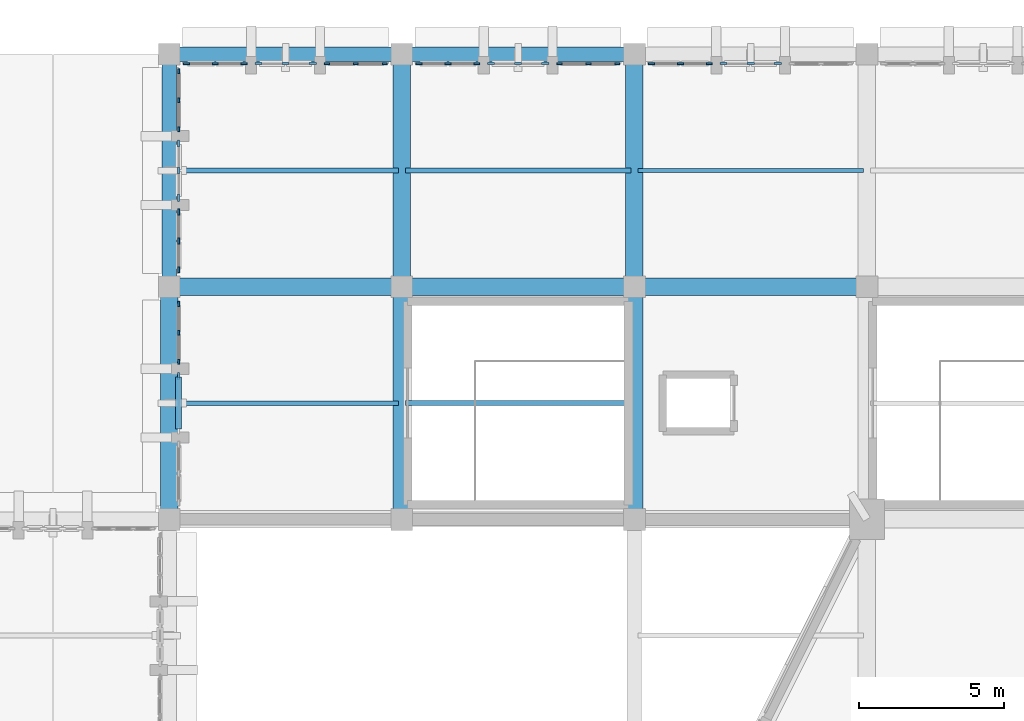
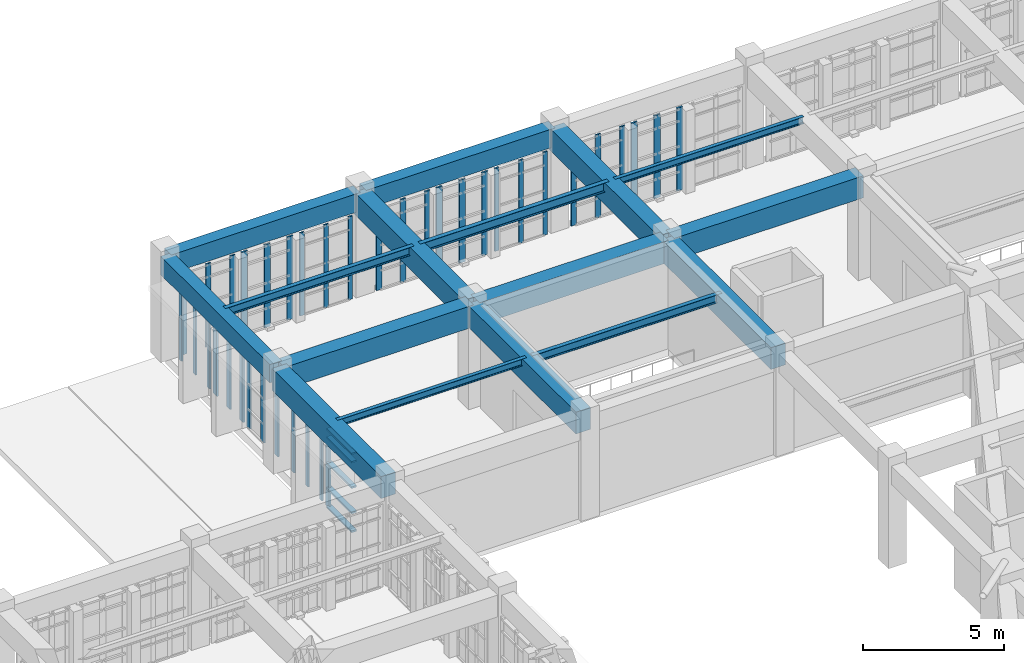
# One storey, part 28 of 155: 42 members, 16 beams, 13 elements without a shape of their own.
"""IFC4 building model written with IfcOpenShell, lengths in metres."""

from ifc_helpers import new_model, si_unit, direction, frame, origin, origin_2d, place, context, subcontext, project, spatial, rectangle, i_section, extrude, material, layer, layer_set, material_profile, profile_set, type_object, element, aggregate, save


model = new_model("IFC4")

# Units and contexts
model_context = context("Model", 3, precision=1e-05, world=origin(), true_north=direction((0.0, 1.0)))
body_context = subcontext(model_context, "Body", "Model", "MODEL_VIEW")
ifc_project = project(units=[si_unit("LENGTHUNIT", "METRE"), si_unit("AREAUNIT", "SQUARE_METRE"), si_unit("VOLUMEUNIT", "CUBIC_METRE"), si_unit("PLANEANGLEUNIT", "RADIAN"), si_unit("MASSUNIT", "GRAM", prefix="KILO")], contexts=[model_context])

# Site, building, storey
site_placement = place(None, origin())
site = spatial("IfcSite", under=ifc_project, at=site_placement, CompositionType="ELEMENT")
building_placement = place(site_placement, origin())
building = spatial("IfcBuilding", under=site, at=building_placement, Name="Tazarka Park Arena", CompositionType="ELEMENT")
storey_placement = place(building_placement, frame((0.0, 0.0, 5.39990234375)))
storey = spatial("IfcBuildingStorey", under=building, at=storey_placement, Name="L01", CompositionType="ELEMENT", Elevation=5.39990234375)

# Beams
ifc_material_1 = material(Name="Concrete C40/50", Category="concrete")
ifc_material_profile_1 = material_profile(ifc_material_1, rectangle(XDim=0.60009765625, YDim=0.949951171875, at=origin_2d()), Name="Concrete C40/50")
ifc_profile_set_1 = profile_set([ifc_material_profile_1], Name="Concrete C40/50")
beam_type_1 = type_object("IfcBeamType", Name="BM-B-03", PredefinedType="BEAM", material=ifc_profile_set_1)
for number, where, z_axis, x_axis, name in (
    (1, (40.0, 112.1201171875, 3.945068359375), (0.0, 1.0, 0.0), (-1.0, 0.0, 0.0), "GYM-L01-05-14"),
    (2, (40.1201171875, 120.0, 3.945068359375), (1.0, 0.0, 0.0), (0.0, 1.0, 0.0), "GXM-L01-05-15"),
    (3, (48.0, 112.1201171875, 3.945068359375), (0.0, 1.0, 0.0), (-1.0, 0.0, 0.0), "GYM-L01-06-14"),
    (4, (48.1201171875, 120.0, 3.945068359375), (1.0, 0.0, 0.0), (0.0, 1.0, 0.0), "GXM-L01-06-15"),
    (5, (48.0, 120.1201171875, 3.945068359375), (0.0, 1.0, 0.0), (-1.0, 0.0, 0.0), "GYM-L01-06-15"),
    (6, (56.0, 112.1201171875, 3.945068359375), (0.0, 1.0, 0.0), (-1.0, 0.0, 0.0), "GYM-L01-07-14"),
    (7, (56.1201171875, 120.0, 3.945068359375), (1.0, 0.0, 0.0), (0.0, 1.0, 0.0), "GXM-L01-07-15"),
    (8, (56.0, 120.1201171875, 3.945068359375), (0.0, 1.0, 0.0), (-1.0, 0.0, 0.0), "GYM-L01-07-15"),
):
    element("IfcBeam", number, at=place(storey_placement, frame(where, z_axis=z_axis, x_axis=x_axis)), inside=storey, type_object=beam_type_1, Name=name, PredefinedType="BEAM", context=body_context, shape_type="SweptSolid", body=[
        extrude(rectangle(XDim=0.60009765625, YDim=0.949951171875, at=origin_2d()), origin(), (0.0, 0.0, 1.0), 7.759765625),
    ])
ifc_material_2 = material(Name="Steel S355", Category="steel")
ifc_material_profile_2 = material_profile(ifc_material_2, i_section(OverallWidth=0.14990234375, OverallDepth=0.300048828125, WebThickness=0.007080078125, FlangeThickness=0.0107421875, FilletRadius=0.014892578125, at=origin_2d()), Name="Steel S355")
ifc_profile_set_2 = profile_set([ifc_material_profile_2], Name="Steel S355")
beam_type_2 = type_object("IfcBeamType", Name="BM-J-01", PredefinedType="JOIST", material=ifc_profile_set_2)
for number, where, z_axis, x_axis, name in (
    (9, (40.1201171875, 116.0, 4.27001953125), (1.0, 0.0, 0.0), (0.0, 1.0, 0.0), "JST-L01-05-14"),
    (10, (56.1201171875, 124.0, 4.27001953125), (1.0, 0.0, 0.0), (0.0, 1.0, 0.0), "JST-L01-07-15"),
):
    element("IfcBeam", number, at=place(storey_placement, frame(where, z_axis=z_axis, x_axis=x_axis)), inside=storey, type_object=beam_type_2, Name=name, PredefinedType="JOIST", context=body_context, shape_type="SweptSolid", body=[
        extrude(i_section(OverallWidth=0.14990234375, OverallDepth=0.300048828125, WebThickness=0.007080078125, FlangeThickness=0.0107421875, FilletRadius=0.014892578125, at=origin_2d()), origin(), (0.0, 0.0, 1.0), 7.759765625),
    ])
ifc_material_3 = material(Name="Steel S355", Category="steel")
ifc_material_profile_3 = material_profile(ifc_material_3, i_section(OverallWidth=0.169921875, OverallDepth=0.360107421875, WebThickness=0.008056640625, FlangeThickness=0.0126953125, FilletRadius=0.01806640625, at=origin_2d()), Name="Steel S355")
ifc_profile_set_3 = profile_set([ifc_material_profile_3], Name="Steel S355")
beam_type_3 = type_object("IfcBeamType", Name="BM-J-02", PredefinedType="JOIST", material=ifc_profile_set_3)
for number, where, z_axis, x_axis, name in (
    (11, (40.1201171875, 124.0, 4.239990234375), (1.0, 0.0, 0.0), (0.0, 1.0, 0.0), "JST-L01-05-15"),
    (12, (48.1201171875, 116.0, 4.239990234375), (1.0, 0.0, 0.0), (0.0, 1.0, 0.0), "JST-L01-06-14"),
):
    element("IfcBeam", number, at=place(storey_placement, frame(where, z_axis=z_axis, x_axis=x_axis)), inside=storey, type_object=beam_type_3, Name=name, PredefinedType="JOIST", context=body_context, shape_type="SweptSolid", body=[
        extrude(i_section(OverallWidth=0.169921875, OverallDepth=0.360107421875, WebThickness=0.008056640625, FlangeThickness=0.0126953125, FilletRadius=0.01806640625, at=origin_2d()), origin(), (0.0, 0.0, 1.0), 7.759765625),
    ])
ifc_material_4 = material(Name="Steel S355", Category="steel")
ifc_material_profile_4 = material_profile(ifc_material_4, i_section(OverallWidth=0.179931640625, OverallDepth=0.39990234375, WebThickness=0.008544921875, FlangeThickness=0.013427734375, FilletRadius=0.02099609375, at=origin_2d()), Name="Steel S355")
ifc_profile_set_4 = profile_set([ifc_material_profile_4], Name="Steel S355")
beam_type_4 = type_object("IfcBeamType", Name="BM-J-03", PredefinedType="JOIST", material=ifc_profile_set_4)
beam_placement = place(storey_placement, frame((48.1201171875, 124.0, 4.22021484375), z_axis=(1.0, 0.0, 0.0), x_axis=(0.0, 1.0, 0.0)))
element("IfcBeam", 13, at=beam_placement, inside=storey, type_object=beam_type_4, Name="JST-L01-06-15", PredefinedType="JOIST", context=body_context, shape_type="SweptSolid", body=[
    extrude(i_section(OverallWidth=0.179931640625, OverallDepth=0.39990234375, WebThickness=0.008544921875, FlangeThickness=0.013427734375, FilletRadius=0.02099609375, at=origin_2d()), origin(), (0.0, 0.0, 1.0), 7.759765625),
])
ifc_material_5 = material(Name="Concrete C40/50", Category="concrete")
ifc_material_profile_5 = material_profile(ifc_material_5, rectangle(XDim=0.5, YDim=0.800048828125, at=origin_2d()), Name="Concrete C40/50")
ifc_profile_set_5 = profile_set([ifc_material_profile_5], Name="Concrete C40/50")
beam_type_5 = type_object("IfcBeamType", Name="BM-SP-01", PredefinedType="SPANDREL", material=ifc_profile_set_5)
for number, where, z_axis, x_axis, name in (
    (14, (40.0, 120.1201171875, 4.02001953125), (0.0, 1.0, 0.0), (-1.0, 0.0, 0.0), "GYM-L01-05-15"),
    (15, (40.1201171875, 128.0, 4.02001953125), (1.0, 0.0, 0.0), (0.0, 1.0, 0.0), "GXM-L01-05-16"),
    (16, (48.1201171875, 128.0, 4.02001953125), (1.0, 0.0, 0.0), (0.0, 1.0, 0.0), "GXM-L01-06-16"),
):
    element("IfcBeam", number, at=place(storey_placement, frame(where, z_axis=z_axis, x_axis=x_axis)), inside=storey, type_object=beam_type_5, Name=name, PredefinedType="SPANDREL", context=body_context, shape_type="SweptSolid", body=[
        extrude(rectangle(XDim=0.5, YDim=0.800048828125, at=origin_2d()), origin(), (0.0, 0.0, 1.0), 7.759765625),
    ])

# Curtain wall, members
ifc_material_6 = material(Name="Aluminium and low-e glass", Category="aluminium")
ifc_layer_1 = layer(ifc_material_6, 0.179931640625, Name="Aluminium and low-e glass")
ifc_layer_set_1 = layer_set([ifc_layer_1], Name="Aluminium and low-e glass")
curtain_wall_type_1 = type_object("IfcCurtainWallType", Name="CW-21", PredefinedType="NOTDEFINED", material=ifc_layer_set_1)
curtain_wall_1_placement = place(storey_placement, origin())
curtain_wall_1 = element("IfcCurtainWall", 17, at=curtain_wall_1_placement, inside=storey, type_object=curtain_wall_type_1, Name="Curtain Wall CWA-L01-051", PredefinedType="NOTDEFINED")
ifc_material_7 = material(Name="Aluminium 6060-T66", Category="aluminium")
ifc_material_profile_6 = material_profile(ifc_material_7, rectangle(XDim=0.06494140625, YDim=0.179931640625, at=origin_2d()), Name="Aluminium 6060-T66")
ifc_profile_set_6 = profile_set([ifc_material_profile_6], Name="Aluminium 6060-T66")
member_type_1 = type_object("IfcMemberType", Name="CWM-01", PredefinedType="MULLION", material=ifc_profile_set_6)
member_1_placement = place(storey_placement, frame((53.42431640625, 127.679931640625, 0.0), z_axis=(0.0, 0.0, 1.0), x_axis=(0.0, 1.0, 0.0)))
member_1 = element("IfcMember", 18, at=member_1_placement, type_object=member_type_1, Name="CW-21 mullion 1", PredefinedType="MULLION", context=body_context, shape_type="SweptSolid", body=[
    extrude(rectangle(XDim=0.06494140625, YDim=0.179931640625, at=origin_2d()), origin(), (0.0, 0.0, 1.0), 3.60009765625),
])
member_2_placement = place(storey_placement, frame((54.41845703125, 127.679931640625, 0.0), z_axis=(0.0, 0.0, 1.0), x_axis=(0.0, 1.0, 0.0)))
member_2 = element("IfcMember", 19, at=member_2_placement, type_object=member_type_1, Name="CW-21 mullion 2", PredefinedType="MULLION", context=body_context, shape_type="SweptSolid", body=[
    extrude(rectangle(XDim=0.06494140625, YDim=0.179931640625, at=origin_2d()), origin(), (0.0, 0.0, 1.0), 3.60009765625),
])
member_3_placement = place(storey_placement, frame((55.41259765625, 127.679931640625, 0.0), z_axis=(0.0, 0.0, 1.0), x_axis=(0.0, 1.0, 0.0)))
member_3 = element("IfcMember", 20, at=member_3_placement, type_object=member_type_1, Name="CW-21 mullion 3", PredefinedType="MULLION", context=body_context, shape_type="SweptSolid", body=[
    extrude(rectangle(XDim=0.06494140625, YDim=0.179931640625, at=origin_2d()), origin(), (0.0, 0.0, 1.0), 3.60009765625),
])
aggregate(curtain_wall_1, [member_1, member_2, member_3])

ifc_material_8 = material(Name="Aluminium and low-e glass", Category="aluminium")
ifc_layer_2 = layer(ifc_material_8, 0.179931640625, Name="Aluminium and low-e glass")
ifc_layer_set_2 = layer_set([ifc_layer_2], Name="Aluminium and low-e glass")
curtain_wall_type_2 = type_object("IfcCurtainWallType", Name="CW-24", PredefinedType="NOTDEFINED", material=ifc_layer_set_2)
curtain_wall_2_placement = place(storey_placement, origin())
curtain_wall_2 = element("IfcCurtainWall", 21, at=curtain_wall_2_placement, inside=storey, type_object=curtain_wall_type_2, Name="Curtain Wall CWA-L01-054", PredefinedType="NOTDEFINED")
member_4_placement = place(storey_placement, frame((45.42431640625, 127.679931640625, 0.0), z_axis=(0.0, 0.0, 1.0), x_axis=(0.0, 1.0, 0.0)))
member_4 = element("IfcMember", 22, at=member_4_placement, type_object=member_type_1, Name="CW-24 mullion 1", PredefinedType="MULLION", context=body_context, shape_type="SweptSolid", body=[
    extrude(rectangle(XDim=0.06494140625, YDim=0.179931640625, at=origin_2d()), origin(), (0.0, 0.0, 1.0), 3.60009765625),
])
member_5_placement = place(storey_placement, frame((46.41845703125, 127.679931640625, 0.0), z_axis=(0.0, 0.0, 1.0), x_axis=(0.0, 1.0, 0.0)))
member_5 = element("IfcMember", 23, at=member_5_placement, type_object=member_type_1, Name="CW-24 mullion 2", PredefinedType="MULLION", context=body_context, shape_type="SweptSolid", body=[
    extrude(rectangle(XDim=0.06494140625, YDim=0.179931640625, at=origin_2d()), origin(), (0.0, 0.0, 1.0), 3.60009765625),
])
member_6_placement = place(storey_placement, frame((47.41259765625, 127.679931640625, 0.0), z_axis=(0.0, 0.0, 1.0), x_axis=(0.0, 1.0, 0.0)))
member_6 = element("IfcMember", 24, at=member_6_placement, type_object=member_type_1, Name="CW-24 mullion 3", PredefinedType="MULLION", context=body_context, shape_type="SweptSolid", body=[
    extrude(rectangle(XDim=0.06494140625, YDim=0.179931640625, at=origin_2d()), origin(), (0.0, 0.0, 1.0), 3.60009765625),
])
aggregate(curtain_wall_2, [member_4, member_5, member_6])

ifc_material_9 = material(Name="Aluminium and low-e glass", Category="aluminium")
ifc_layer_3 = layer(ifc_material_9, 0.179931640625, Name="Aluminium and low-e glass")
ifc_layer_set_3 = layer_set([ifc_layer_3], Name="Aluminium and low-e glass")
curtain_wall_type_3 = type_object("IfcCurtainWallType", Name="CW-27", PredefinedType="NOTDEFINED", material=ifc_layer_set_3)
curtain_wall_3_placement = place(storey_placement, origin())
curtain_wall_3 = element("IfcCurtainWall", 25, at=curtain_wall_3_placement, inside=storey, type_object=curtain_wall_type_3, Name="Curtain Wall CWA-L01-057", PredefinedType="NOTDEFINED")
member_7_placement = place(storey_placement, frame((40.320068359375, 125.42431640625, 0.0), z_axis=(0.0, 0.0, 1.0), x_axis=(-1.0, 0.0, 0.0)))
member_7 = element("IfcMember", 26, at=member_7_placement, type_object=member_type_1, Name="CW-27 mullion 1", PredefinedType="MULLION", context=body_context, shape_type="SweptSolid", body=[
    extrude(rectangle(XDim=0.06494140625, YDim=0.179931640625, at=origin_2d()), origin(), (0.0, 0.0, 1.0), 3.60009765625),
])
member_8_placement = place(storey_placement, frame((40.320068359375, 126.41845703125, 0.0), z_axis=(0.0, 0.0, 1.0), x_axis=(-1.0, 0.0, 0.0)))
member_8 = element("IfcMember", 27, at=member_8_placement, type_object=member_type_1, Name="CW-27 mullion 2", PredefinedType="MULLION", context=body_context, shape_type="SweptSolid", body=[
    extrude(rectangle(XDim=0.06494140625, YDim=0.179931640625, at=origin_2d()), origin(), (0.0, 0.0, 1.0), 3.60009765625),
])
member_9_placement = place(storey_placement, frame((40.320068359375, 127.41259765625, 0.0), z_axis=(0.0, 0.0, 1.0), x_axis=(-1.0, 0.0, 0.0)))
member_9 = element("IfcMember", 28, at=member_9_placement, type_object=member_type_1, Name="CW-27 mullion 3", PredefinedType="MULLION", context=body_context, shape_type="SweptSolid", body=[
    extrude(rectangle(XDim=0.06494140625, YDim=0.179931640625, at=origin_2d()), origin(), (0.0, 0.0, 1.0), 3.60009765625),
])
aggregate(curtain_wall_3, [member_7, member_8, member_9])

ifc_material_10 = material(Name="Aluminium and low-e glass", Category="aluminium")
ifc_layer_4 = layer(ifc_material_10, 0.179931640625, Name="Aluminium and low-e glass")
ifc_layer_set_4 = layer_set([ifc_layer_4], Name="Aluminium and low-e glass")
curtain_wall_type_4 = type_object("IfcCurtainWallType", Name="CW-30", PredefinedType="NOTDEFINED", material=ifc_layer_set_4)
curtain_wall_4_placement = place(storey_placement, origin())
curtain_wall_4 = element("IfcCurtainWall", 29, at=curtain_wall_4_placement, inside=storey, type_object=curtain_wall_type_4, Name="Curtain Wall CWA-L01-060", PredefinedType="NOTDEFINED")
member_10_placement = place(storey_placement, frame((40.320068359375, 117.42431640625, 0.0), z_axis=(0.0, 0.0, 1.0), x_axis=(-1.0, 0.0, 0.0)))
member_10 = element("IfcMember", 30, at=member_10_placement, type_object=member_type_1, Name="CW-30 mullion 1", PredefinedType="MULLION", context=body_context, shape_type="SweptSolid", body=[
    extrude(rectangle(XDim=0.06494140625, YDim=0.179931640625, at=origin_2d()), origin(), (0.0, 0.0, 1.0), 3.4501953125),
])
member_11_placement = place(storey_placement, frame((40.320068359375, 118.41845703125, 0.0), z_axis=(0.0, 0.0, 1.0), x_axis=(-1.0, 0.0, 0.0)))
member_11 = element("IfcMember", 31, at=member_11_placement, type_object=member_type_1, Name="CW-30 mullion 2", PredefinedType="MULLION", context=body_context, shape_type="SweptSolid", body=[
    extrude(rectangle(XDim=0.06494140625, YDim=0.179931640625, at=origin_2d()), origin(), (0.0, 0.0, 1.0), 3.4501953125),
])
member_12_placement = place(storey_placement, frame((40.320068359375, 119.41259765625, 0.0), z_axis=(0.0, 0.0, 1.0), x_axis=(-1.0, 0.0, 0.0)))
member_12 = element("IfcMember", 32, at=member_12_placement, type_object=member_type_1, Name="CW-30 mullion 3", PredefinedType="MULLION", context=body_context, shape_type="SweptSolid", body=[
    extrude(rectangle(XDim=0.06494140625, YDim=0.179931640625, at=origin_2d()), origin(), (0.0, 0.0, 1.0), 3.4501953125),
])
aggregate(curtain_wall_4, [member_10, member_11, member_12])

ifc_material_11 = material(Name="Aluminium and low-e glass", Category="aluminium")
ifc_layer_5 = layer(ifc_material_11, 0.179931640625, Name="Aluminium and low-e glass")
ifc_layer_set_5 = layer_set([ifc_layer_5], Name="Aluminium and low-e glass")
curtain_wall_type_5 = type_object("IfcCurtainWallType", Name="CW-16", PredefinedType="NOTDEFINED", material=ifc_layer_set_5)
curtain_wall_5_placement = place(storey_placement, origin())
curtain_wall_5 = element("IfcCurtainWall", 33, at=curtain_wall_5_placement, inside=storey, type_object=curtain_wall_type_5, Name="Curtain Wall CWA-L01-046", PredefinedType="NOTDEFINED")
ifc_material_12 = material(Name="Aluminium 6060-T66", Category="aluminium")
ifc_material_profile_7 = material_profile(ifc_material_12, rectangle(XDim=0.06494140625, YDim=0.219970703125, at=origin_2d()), Name="Aluminium 6060-T66")
ifc_profile_set_7 = profile_set([ifc_material_profile_7], Name="Aluminium 6060-T66")
member_type_2 = type_object("IfcMemberType", Name="CWM-02", PredefinedType="MULLION", material=ifc_profile_set_7)
member_13_placement = place(storey_placement, frame((56.58740234375, 127.679931640625, 0.0), z_axis=(0.0, 0.0, 1.0), x_axis=(0.0, 1.0, 0.0)))
member_13 = element("IfcMember", 34, at=member_13_placement, type_object=member_type_2, Name="CW-16 mullion 1", PredefinedType="MULLION", context=body_context, shape_type="SweptSolid", body=[
    extrude(rectangle(XDim=0.06494140625, YDim=0.219970703125, at=origin_2d()), origin(), (0.0, 0.0, 1.0), 3.60009765625),
])
member_14_placement = place(storey_placement, frame((57.58154296875, 127.679931640625, 0.0), z_axis=(0.0, 0.0, 1.0), x_axis=(0.0, 1.0, 0.0)))
member_14 = element("IfcMember", 35, at=member_14_placement, type_object=member_type_2, Name="CW-16 mullion 2", PredefinedType="MULLION", context=body_context, shape_type="SweptSolid", body=[
    extrude(rectangle(XDim=0.06494140625, YDim=0.219970703125, at=origin_2d()), origin(), (0.0, 0.0, 1.0), 3.60009765625),
])
member_15_placement = place(storey_placement, frame((58.57568359375, 127.679931640625, 0.0), z_axis=(0.0, 0.0, 1.0), x_axis=(0.0, 1.0, 0.0)))
member_15 = element("IfcMember", 36, at=member_15_placement, type_object=member_type_2, Name="CW-16 mullion 3", PredefinedType="MULLION", context=body_context, shape_type="SweptSolid", body=[
    extrude(rectangle(XDim=0.06494140625, YDim=0.219970703125, at=origin_2d()), origin(), (0.0, 0.0, 1.0), 3.60009765625),
])
aggregate(curtain_wall_5, [member_13, member_14, member_15])

ifc_material_13 = material(Name="Aluminium and low-e glass", Category="aluminium")
ifc_layer_6 = layer(ifc_material_13, 0.179931640625, Name="Aluminium and low-e glass")
ifc_layer_set_6 = layer_set([ifc_layer_6], Name="Aluminium and low-e glass")
curtain_wall_type_6 = type_object("IfcCurtainWallType", Name="CW-19", PredefinedType="NOTDEFINED", material=ifc_layer_set_6)
curtain_wall_6_placement = place(storey_placement, origin())
curtain_wall_6 = element("IfcCurtainWall", 37, at=curtain_wall_6_placement, inside=storey, type_object=curtain_wall_type_6, Name="Curtain Wall CWA-L01-049", PredefinedType="NOTDEFINED")
member_16_placement = place(storey_placement, frame((48.58740234375, 127.679931640625, 0.0), z_axis=(0.0, 0.0, 1.0), x_axis=(0.0, 1.0, 0.0)))
member_16 = element("IfcMember", 38, at=member_16_placement, type_object=member_type_2, Name="CW-19 mullion 1", PredefinedType="MULLION", context=body_context, shape_type="SweptSolid", body=[
    extrude(rectangle(XDim=0.06494140625, YDim=0.219970703125, at=origin_2d()), origin(), (0.0, 0.0, 1.0), 3.60009765625),
])
member_17_placement = place(storey_placement, frame((49.58154296875, 127.679931640625, 0.0), z_axis=(0.0, 0.0, 1.0), x_axis=(0.0, 1.0, 0.0)))
member_17 = element("IfcMember", 39, at=member_17_placement, type_object=member_type_2, Name="CW-19 mullion 2", PredefinedType="MULLION", context=body_context, shape_type="SweptSolid", body=[
    extrude(rectangle(XDim=0.06494140625, YDim=0.219970703125, at=origin_2d()), origin(), (0.0, 0.0, 1.0), 3.60009765625),
])
member_18_placement = place(storey_placement, frame((50.57568359375, 127.679931640625, 0.0), z_axis=(0.0, 0.0, 1.0), x_axis=(0.0, 1.0, 0.0)))
member_18 = element("IfcMember", 40, at=member_18_placement, type_object=member_type_2, Name="CW-19 mullion 3", PredefinedType="MULLION", context=body_context, shape_type="SweptSolid", body=[
    extrude(rectangle(XDim=0.06494140625, YDim=0.219970703125, at=origin_2d()), origin(), (0.0, 0.0, 1.0), 3.60009765625),
])
aggregate(curtain_wall_6, [member_16, member_17, member_18])

ifc_material_14 = material(Name="Aluminium and low-e glass", Category="aluminium")
ifc_layer_7 = layer(ifc_material_14, 0.179931640625, Name="Aluminium and low-e glass")
ifc_layer_set_7 = layer_set([ifc_layer_7], Name="Aluminium and low-e glass")
curtain_wall_type_7 = type_object("IfcCurtainWallType", Name="CW-22", PredefinedType="NOTDEFINED", material=ifc_layer_set_7)
curtain_wall_7_placement = place(storey_placement, origin())
curtain_wall_7 = element("IfcCurtainWall", 41, at=curtain_wall_7_placement, inside=storey, type_object=curtain_wall_type_7, Name="Curtain Wall CWA-L01-052", PredefinedType="NOTDEFINED")
member_19_placement = place(storey_placement, frame((40.58740234375, 127.679931640625, 0.0), z_axis=(0.0, 0.0, 1.0), x_axis=(0.0, 1.0, 0.0)))
member_19 = element("IfcMember", 42, at=member_19_placement, type_object=member_type_2, Name="CW-22 mullion 1", PredefinedType="MULLION", context=body_context, shape_type="SweptSolid", body=[
    extrude(rectangle(XDim=0.06494140625, YDim=0.219970703125, at=origin_2d()), origin(), (0.0, 0.0, 1.0), 3.60009765625),
])
member_20_placement = place(storey_placement, frame((41.58154296875, 127.679931640625, 0.0), z_axis=(0.0, 0.0, 1.0), x_axis=(0.0, 1.0, 0.0)))
member_20 = element("IfcMember", 43, at=member_20_placement, type_object=member_type_2, Name="CW-22 mullion 2", PredefinedType="MULLION", context=body_context, shape_type="SweptSolid", body=[
    extrude(rectangle(XDim=0.06494140625, YDim=0.219970703125, at=origin_2d()), origin(), (0.0, 0.0, 1.0), 3.60009765625),
])
member_21_placement = place(storey_placement, frame((42.57568359375, 127.679931640625, 0.0), z_axis=(0.0, 0.0, 1.0), x_axis=(0.0, 1.0, 0.0)))
member_21 = element("IfcMember", 44, at=member_21_placement, type_object=member_type_2, Name="CW-22 mullion 3", PredefinedType="MULLION", context=body_context, shape_type="SweptSolid", body=[
    extrude(rectangle(XDim=0.06494140625, YDim=0.219970703125, at=origin_2d()), origin(), (0.0, 0.0, 1.0), 3.60009765625),
])
aggregate(curtain_wall_7, [member_19, member_20, member_21])

ifc_material_15 = material(Name="Aluminium and low-e glass", Category="aluminium")
ifc_layer_8 = layer(ifc_material_15, 0.179931640625, Name="Aluminium and low-e glass")
ifc_layer_set_8 = layer_set([ifc_layer_8], Name="Aluminium and low-e glass")
curtain_wall_type_8 = type_object("IfcCurtainWallType", Name="CW-25", PredefinedType="NOTDEFINED", material=ifc_layer_set_8)
curtain_wall_8_placement = place(storey_placement, origin())
curtain_wall_8 = element("IfcCurtainWall", 45, at=curtain_wall_8_placement, inside=storey, type_object=curtain_wall_type_8, Name="Curtain Wall CWA-L01-055", PredefinedType="NOTDEFINED")
member_22_placement = place(storey_placement, frame((40.320068359375, 120.58740234375, 0.0), z_axis=(0.0, 0.0, 1.0), x_axis=(-1.0, 0.0, 0.0)))
member_22 = element("IfcMember", 46, at=member_22_placement, type_object=member_type_2, Name="CW-25 mullion 1", PredefinedType="MULLION", context=body_context, shape_type="SweptSolid", body=[
    extrude(rectangle(XDim=0.06494140625, YDim=0.219970703125, at=origin_2d()), origin(), (0.0, 0.0, 1.0), 3.60009765625),
])
member_23_placement = place(storey_placement, frame((40.320068359375, 121.58154296875, 0.0), z_axis=(0.0, 0.0, 1.0), x_axis=(-1.0, 0.0, 0.0)))
member_23 = element("IfcMember", 47, at=member_23_placement, type_object=member_type_2, Name="CW-25 mullion 2", PredefinedType="MULLION", context=body_context, shape_type="SweptSolid", body=[
    extrude(rectangle(XDim=0.06494140625, YDim=0.219970703125, at=origin_2d()), origin(), (0.0, 0.0, 1.0), 3.60009765625),
])
member_24_placement = place(storey_placement, frame((40.320068359375, 122.57568359375, 0.0), z_axis=(0.0, 0.0, 1.0), x_axis=(-1.0, 0.0, 0.0)))
member_24 = element("IfcMember", 48, at=member_24_placement, type_object=member_type_2, Name="CW-25 mullion 3", PredefinedType="MULLION", context=body_context, shape_type="SweptSolid", body=[
    extrude(rectangle(XDim=0.06494140625, YDim=0.219970703125, at=origin_2d()), origin(), (0.0, 0.0, 1.0), 3.60009765625),
])
aggregate(curtain_wall_8, [member_22, member_23, member_24])

ifc_material_16 = material(Name="Aluminium and low-e glass", Category="aluminium")
ifc_layer_9 = layer(ifc_material_16, 0.179931640625, Name="Aluminium and low-e glass")
ifc_layer_set_9 = layer_set([ifc_layer_9], Name="Aluminium and low-e glass")
curtain_wall_type_9 = type_object("IfcCurtainWallType", Name="CW-17", PredefinedType="NOTDEFINED", material=ifc_layer_set_9)
curtain_wall_9_placement = place(storey_placement, origin())
curtain_wall_9 = element("IfcCurtainWall", 49, at=curtain_wall_9_placement, inside=storey, type_object=curtain_wall_type_9, Name="Curtain Wall CWA-L01-047", PredefinedType="NOTDEFINED")
ifc_material_17 = material(Name="Aluminium 6060-T66", Category="aluminium")
ifc_material_profile_8 = material_profile(ifc_material_17, rectangle(XDim=0.074951171875, YDim=0.25, at=origin_2d()), Name="Aluminium 6060-T66")
ifc_profile_set_8 = profile_set([ifc_material_profile_8], Name="Aluminium 6060-T66")
member_type_3 = type_object("IfcMemberType", Name="CWM-03", PredefinedType="MULLION", material=ifc_profile_set_8)
member_25_placement = place(storey_placement, frame((59.06591796875, 127.679931640625, 0.0), z_axis=(0.0, 0.0, 1.0), x_axis=(0.0, 1.0, 0.0)))
member_25 = element("IfcMember", 50, at=member_25_placement, type_object=member_type_3, Name="CW-17 mullion 1", PredefinedType="MULLION", context=body_context, shape_type="SweptSolid", body=[
    extrude(rectangle(XDim=0.074951171875, YDim=0.25, at=origin_2d()), origin(), (0.0, 0.0, 1.0), 3.60009765625),
])
member_26_placement = place(storey_placement, frame((60.0, 127.679931640625, 0.0), z_axis=(0.0, 0.0, 1.0), x_axis=(0.0, 1.0, 0.0)))
member_26 = element("IfcMember", 51, at=member_26_placement, type_object=member_type_3, Name="CW-17 mullion 2", PredefinedType="MULLION", context=body_context, shape_type="SweptSolid", body=[
    extrude(rectangle(XDim=0.074951171875, YDim=0.25, at=origin_2d()), origin(), (0.0, 0.0, 1.0), 3.60009765625),
])
member_27_placement = place(storey_placement, frame((60.93408203125, 127.679931640625, 0.0), z_axis=(0.0, 0.0, 1.0), x_axis=(0.0, 1.0, 0.0)))
member_27 = element("IfcMember", 52, at=member_27_placement, type_object=member_type_3, Name="CW-17 mullion 3", PredefinedType="MULLION", context=body_context, shape_type="SweptSolid", body=[
    extrude(rectangle(XDim=0.074951171875, YDim=0.25, at=origin_2d()), origin(), (0.0, 0.0, 1.0), 3.60009765625),
])
aggregate(curtain_wall_9, [member_25, member_26, member_27])

ifc_material_18 = material(Name="Aluminium and low-e glass", Category="aluminium")
ifc_layer_10 = layer(ifc_material_18, 0.179931640625, Name="Aluminium and low-e glass")
ifc_layer_set_10 = layer_set([ifc_layer_10], Name="Aluminium and low-e glass")
curtain_wall_type_10 = type_object("IfcCurtainWallType", Name="CW-20", PredefinedType="NOTDEFINED", material=ifc_layer_set_10)
curtain_wall_10_placement = place(storey_placement, origin())
curtain_wall_10 = element("IfcCurtainWall", 53, at=curtain_wall_10_placement, inside=storey, type_object=curtain_wall_type_10, Name="Curtain Wall CWA-L01-050", PredefinedType="NOTDEFINED")
member_28_placement = place(storey_placement, frame((51.06591796875, 127.679931640625, 0.0), z_axis=(0.0, 0.0, 1.0), x_axis=(0.0, 1.0, 0.0)))
member_28 = element("IfcMember", 54, at=member_28_placement, type_object=member_type_3, Name="CW-20 mullion 1", PredefinedType="MULLION", context=body_context, shape_type="SweptSolid", body=[
    extrude(rectangle(XDim=0.074951171875, YDim=0.25, at=origin_2d()), origin(), (0.0, 0.0, 1.0), 3.60009765625),
])
member_29_placement = place(storey_placement, frame((52.0, 127.679931640625, 0.0), z_axis=(0.0, 0.0, 1.0), x_axis=(0.0, 1.0, 0.0)))
member_29 = element("IfcMember", 55, at=member_29_placement, type_object=member_type_3, Name="CW-20 mullion 2", PredefinedType="MULLION", context=body_context, shape_type="SweptSolid", body=[
    extrude(rectangle(XDim=0.074951171875, YDim=0.25, at=origin_2d()), origin(), (0.0, 0.0, 1.0), 3.60009765625),
])
member_30_placement = place(storey_placement, frame((52.93408203125, 127.679931640625, 0.0), z_axis=(0.0, 0.0, 1.0), x_axis=(0.0, 1.0, 0.0)))
member_30 = element("IfcMember", 56, at=member_30_placement, type_object=member_type_3, Name="CW-20 mullion 3", PredefinedType="MULLION", context=body_context, shape_type="SweptSolid", body=[
    extrude(rectangle(XDim=0.074951171875, YDim=0.25, at=origin_2d()), origin(), (0.0, 0.0, 1.0), 3.60009765625),
])
aggregate(curtain_wall_10, [member_28, member_29, member_30])

ifc_material_19 = material(Name="Aluminium and low-e glass", Category="aluminium")
ifc_layer_11 = layer(ifc_material_19, 0.179931640625, Name="Aluminium and low-e glass")
ifc_layer_set_11 = layer_set([ifc_layer_11], Name="Aluminium and low-e glass")
curtain_wall_type_11 = type_object("IfcCurtainWallType", Name="CW-23", PredefinedType="NOTDEFINED", material=ifc_layer_set_11)
curtain_wall_11_placement = place(storey_placement, origin())
curtain_wall_11 = element("IfcCurtainWall", 57, at=curtain_wall_11_placement, inside=storey, type_object=curtain_wall_type_11, Name="Curtain Wall CWA-L01-053", PredefinedType="NOTDEFINED")
member_31_placement = place(storey_placement, frame((43.06591796875, 127.679931640625, 0.0), z_axis=(0.0, 0.0, 1.0), x_axis=(0.0, 1.0, 0.0)))
member_31 = element("IfcMember", 58, at=member_31_placement, type_object=member_type_3, Name="CW-23 mullion 1", PredefinedType="MULLION", context=body_context, shape_type="SweptSolid", body=[
    extrude(rectangle(XDim=0.074951171875, YDim=0.25, at=origin_2d()), origin(), (0.0, 0.0, 1.0), 3.60009765625),
])
member_32_placement = place(storey_placement, frame((44.0, 127.679931640625, 0.0), z_axis=(0.0, 0.0, 1.0), x_axis=(0.0, 1.0, 0.0)))
member_32 = element("IfcMember", 59, at=member_32_placement, type_object=member_type_3, Name="CW-23 mullion 2", PredefinedType="MULLION", context=body_context, shape_type="SweptSolid", body=[
    extrude(rectangle(XDim=0.074951171875, YDim=0.25, at=origin_2d()), origin(), (0.0, 0.0, 1.0), 3.60009765625),
])
member_33_placement = place(storey_placement, frame((44.93408203125, 127.679931640625, 0.0), z_axis=(0.0, 0.0, 1.0), x_axis=(0.0, 1.0, 0.0)))
member_33 = element("IfcMember", 60, at=member_33_placement, type_object=member_type_3, Name="CW-23 mullion 3", PredefinedType="MULLION", context=body_context, shape_type="SweptSolid", body=[
    extrude(rectangle(XDim=0.074951171875, YDim=0.25, at=origin_2d()), origin(), (0.0, 0.0, 1.0), 3.60009765625),
])
aggregate(curtain_wall_11, [member_31, member_32, member_33])

ifc_material_20 = material(Name="Aluminium and low-e glass", Category="aluminium")
ifc_layer_12 = layer(ifc_material_20, 0.179931640625, Name="Aluminium and low-e glass")
ifc_layer_set_12 = layer_set([ifc_layer_12], Name="Aluminium and low-e glass")
curtain_wall_type_12 = type_object("IfcCurtainWallType", Name="CW-26", PredefinedType="NOTDEFINED", material=ifc_layer_set_12)
curtain_wall_12_placement = place(storey_placement, origin())
curtain_wall_12 = element("IfcCurtainWall", 61, at=curtain_wall_12_placement, inside=storey, type_object=curtain_wall_type_12, Name="Curtain Wall CWA-L01-056", PredefinedType="NOTDEFINED")
member_34_placement = place(storey_placement, frame((40.320068359375, 123.06591796875, 0.0), z_axis=(0.0, 0.0, 1.0), x_axis=(-1.0, 0.0, 0.0)))
member_34 = element("IfcMember", 62, at=member_34_placement, type_object=member_type_3, Name="CW-26 mullion 1", PredefinedType="MULLION", context=body_context, shape_type="SweptSolid", body=[
    extrude(rectangle(XDim=0.074951171875, YDim=0.25, at=origin_2d()), origin(), (0.0, 0.0, 1.0), 3.60009765625),
])
member_35_placement = place(storey_placement, frame((40.320068359375, 124.0, 0.0), z_axis=(0.0, 0.0, 1.0), x_axis=(-1.0, 0.0, 0.0)))
member_35 = element("IfcMember", 63, at=member_35_placement, type_object=member_type_3, Name="CW-26 mullion 2", PredefinedType="MULLION", context=body_context, shape_type="SweptSolid", body=[
    extrude(rectangle(XDim=0.074951171875, YDim=0.25, at=origin_2d()), origin(), (0.0, 0.0, 1.0), 3.60009765625),
])
member_36_placement = place(storey_placement, frame((40.320068359375, 124.93408203125, 0.0), z_axis=(0.0, 0.0, 1.0), x_axis=(-1.0, 0.0, 0.0)))
member_36 = element("IfcMember", 64, at=member_36_placement, type_object=member_type_3, Name="CW-26 mullion 3", PredefinedType="MULLION", context=body_context, shape_type="SweptSolid", body=[
    extrude(rectangle(XDim=0.074951171875, YDim=0.25, at=origin_2d()), origin(), (0.0, 0.0, 1.0), 3.60009765625),
])
aggregate(curtain_wall_12, [member_34, member_35, member_36])

ifc_material_21 = material(Name="Aluminium and low-e glass", Category="aluminium")
ifc_layer_13 = layer(ifc_material_21, 0.179931640625, Name="Aluminium and low-e glass")
ifc_layer_set_13 = layer_set([ifc_layer_13], Name="Aluminium and low-e glass")
curtain_wall_type_13 = type_object("IfcCurtainWallType", Name="CW-29", PredefinedType="NOTDEFINED", material=ifc_layer_set_13)
curtain_wall_13_placement = place(storey_placement, origin())
curtain_wall_13 = element("IfcCurtainWall", 65, at=curtain_wall_13_placement, inside=storey, type_object=curtain_wall_type_13, Name="Curtain Wall CWA-L01-059", PredefinedType="NOTDEFINED")
member_37_placement = place(storey_placement, frame((40.320068359375, 116.93408203125, 0.0), z_axis=(0.0, 0.0, 1.0), x_axis=(-1.0, 0.0, 0.0)))
member_37 = element("IfcMember", 66, at=member_37_placement, type_object=member_type_3, Name="CW-29 mullion 2", PredefinedType="MULLION", context=body_context, shape_type="SweptSolid", body=[
    extrude(rectangle(XDim=0.074951171875, YDim=0.25, at=origin_2d()), origin(), (0.0, 0.0, 1.0), 3.4501953125),
])
ifc_material_22 = material(Name="Aluminium 6060-T66", Category="aluminium")
ifc_material_profile_9 = material_profile(ifc_material_22, rectangle(XDim=0.2099609375, YDim=0.074951171875, at=origin_2d()), Name="Aluminium 6060-T66")
ifc_profile_set_9 = profile_set([ifc_material_profile_9], Name="Aluminium 6060-T66")
member_type_4 = type_object("IfcMemberType", Name="CWT-03", PredefinedType="USERDEFINED", material=ifc_profile_set_9)
member_38_placement = place(storey_placement, frame((40.320068359375, 115.103271484375, 0.03759765625), z_axis=(0.0, 1.0, 0.0), x_axis=(-1.0, 0.0, 0.0)))
member_38 = element("IfcMember", 67, at=member_38_placement, type_object=member_type_4, Name="CW-29 transom 1.1", ObjectType="TRANSOM", PredefinedType="USERDEFINED", context=body_context, shape_type="SweptSolid", body=[
    extrude(rectangle(XDim=0.2099609375, YDim=0.074951171875, at=origin_2d()), origin(), (0.0, 0.0, 1.0), 1.79345703125),
])
member_39_placement = place(storey_placement, frame((40.320068359375, 115.103271484375, 0.85009765625), z_axis=(0.0, 1.0, 0.0), x_axis=(-1.0, 0.0, 0.0)))
member_39 = element("IfcMember", 68, at=member_39_placement, type_object=member_type_4, Name="CW-29 transom 1.2", ObjectType="TRANSOM", PredefinedType="USERDEFINED", context=body_context, shape_type="SweptSolid", body=[
    extrude(rectangle(XDim=0.2099609375, YDim=0.074951171875, at=origin_2d()), origin(), (0.0, 0.0, 1.0), 1.79345703125),
])
member_40_placement = place(storey_placement, frame((40.320068359375, 115.103271484375, 1.9501953125), z_axis=(0.0, 1.0, 0.0), x_axis=(-1.0, 0.0, 0.0)))
member_40 = element("IfcMember", 69, at=member_40_placement, type_object=member_type_4, Name="CW-29 transom 1.3", ObjectType="TRANSOM", PredefinedType="USERDEFINED", context=body_context, shape_type="SweptSolid", body=[
    extrude(rectangle(XDim=0.2099609375, YDim=0.074951171875, at=origin_2d()), origin(), (0.0, 0.0, 1.0), 1.79345703125),
])
member_41_placement = place(storey_placement, frame((40.320068359375, 115.103271484375, 3.050048828125), z_axis=(0.0, 1.0, 0.0), x_axis=(-1.0, 0.0, 0.0)))
member_41 = element("IfcMember", 70, at=member_41_placement, type_object=member_type_4, Name="CW-29 transom 1.4", ObjectType="TRANSOM", PredefinedType="USERDEFINED", context=body_context, shape_type="SweptSolid", body=[
    extrude(rectangle(XDim=0.2099609375, YDim=0.074951171875, at=origin_2d()), origin(), (0.0, 0.0, 1.0), 1.79345703125),
])
member_42_placement = place(storey_placement, frame((40.320068359375, 115.103271484375, 3.41259765625), z_axis=(0.0, 1.0, 0.0), x_axis=(-1.0, 0.0, 0.0)))
member_42 = element("IfcMember", 71, at=member_42_placement, type_object=member_type_4, Name="CW-29 transom 1.5", ObjectType="TRANSOM", PredefinedType="USERDEFINED", context=body_context, shape_type="SweptSolid", body=[
    extrude(rectangle(XDim=0.2099609375, YDim=0.074951171875, at=origin_2d()), origin(), (0.0, 0.0, 1.0), 1.79345703125),
])
aggregate(curtain_wall_13, [member_37, member_38, member_39, member_40, member_41, member_42])

save(model, "model.ifc")
